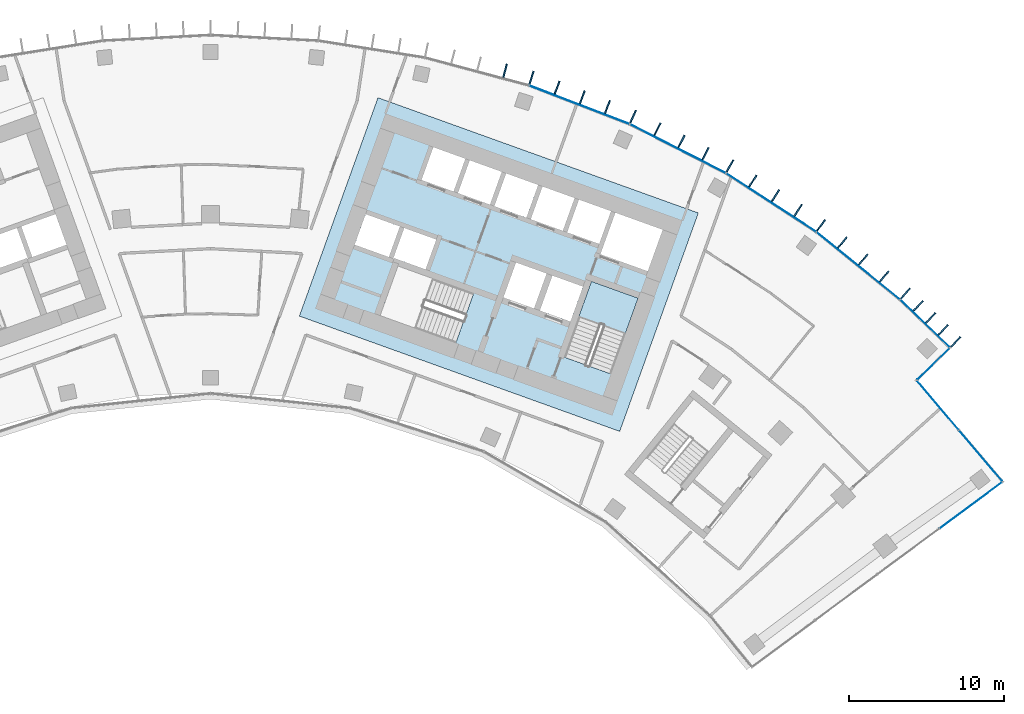
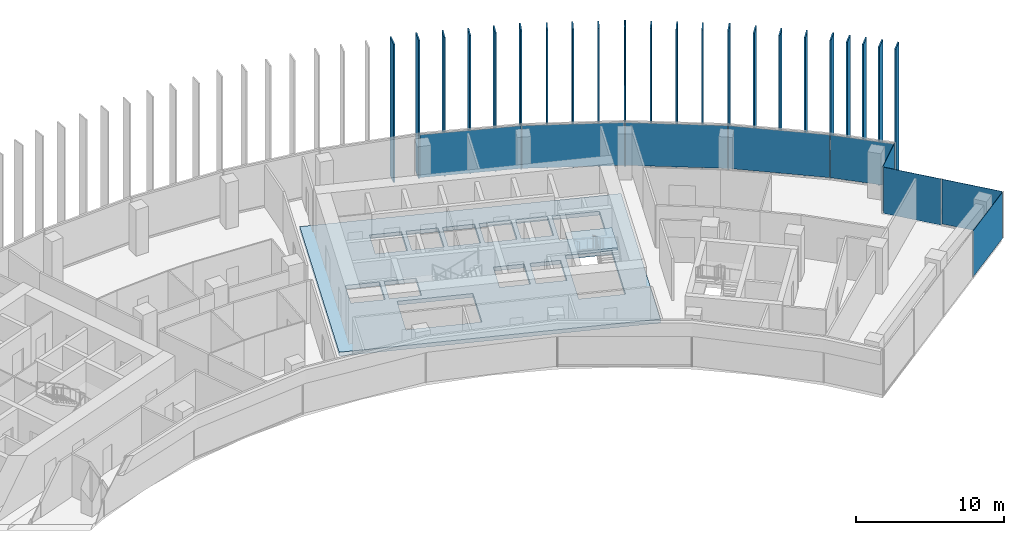
# One storey, part 12 of 20: 31 plates, 2 slabs, 5 elements without a shape of their own.
"""IFC4 building model written with IfcOpenShell, lengths in metres."""

from ifc_helpers import new_model, si_unit, direction, frame, origin, origin_2d, place, context, subcontext, project, spatial, polyline, rectangle, outline, extrude, material, layer, layer_set, type_object, element, aggregate, save


model = new_model("IFC4")

# Units and contexts
model_context = context("Model", 3, precision=1e-05, world=origin(), true_north=direction((0.0, 1.0)))
body_context = subcontext(model_context, "Body", "Model", "MODEL_VIEW")
ifc_project = project(units=[si_unit("LENGTHUNIT", "METRE"), si_unit("AREAUNIT", "SQUARE_METRE"), si_unit("VOLUMEUNIT", "CUBIC_METRE"), si_unit("PLANEANGLEUNIT", "RADIAN"), si_unit("MASSUNIT", "GRAM", prefix="KILO")], contexts=[model_context])

# Site, building, storey
site_placement = place(None, origin())
site = spatial("IfcSite", under=ifc_project, at=site_placement, CompositionType="ELEMENT")
building_placement = place(site_placement, origin())
building = spatial("IfcBuilding", under=site, at=building_placement, Name="Stone Belt Terrace Tower", CompositionType="ELEMENT")
storey_placement = place(building_placement, frame((0.0, 0.0, 212.39990234375)))
storey = spatial("IfcBuildingStorey", under=building, at=storey_placement, Name="L51", CompositionType="ELEMENT", Elevation=212.39990234375)

# Curtain wall, plates
ifc_material_1 = material(Name="Aluminium 6063-T6 anodised frame", Category="aluminium")
ifc_layer_1 = layer(ifc_material_1, 0.14990234375)
ifc_layer_set_1 = layer_set([ifc_layer_1], Name="CW-A unitised convex-face curtain wall")
curtain_wall_type_1 = type_object("IfcCurtainWallType", Name="CW-A unitised convex-face curtain wall", PredefinedType="NOTDEFINED", material=ifc_layer_set_1)
curtain_wall_1_placement = place(storey_placement, origin())
curtain_wall_1 = element("IfcCurtainWall", 1, at=curtain_wall_1_placement, inside=storey, type_object=curtain_wall_type_1, Name="CW-A convex face L51", PredefinedType="NOTDEFINED")
ifc_material_2 = material(Name="Clear double glazed unit")
ifc_layer_2 = layer(ifc_material_2, 0.031982421875)
ifc_layer_set_2 = layer_set([ifc_layer_2], Name="CW-A glass panel 32")
plate_type_1 = type_object("IfcPlateType", Name="CW-A glass panel 32", PredefinedType="CURTAIN_PANEL", material=ifc_layer_set_2)
plate_1_placement = place(storey_placement, frame((46.14599609375, 47.936767578125, 0.14013671875), z_axis=(0.0, 0.0, 1.0), x_axis=(-0.720604393579, 0.693346455933, 0.0)))
plate_1 = element("IfcPlate", 2, at=plate_1_placement, type_object=plate_type_1, Name="CW-A panel 1.1", PredefinedType="CURTAIN_PANEL", context=body_context, shape_type="SweptSolid", body=[
    extrude(rectangle(XDim=4.372314453125, YDim=0.031982421875, at=origin_2d()), origin(), (0.0, 0.0, 1.0), 3.52001953125),
])
plate_2_placement = place(storey_placement, frame((41.839599609375, 51.667724609375, 0.14013671875), z_axis=(0.0, 0.0, 1.0), x_axis=(-0.777145961457, 0.62932039105, 0.0)))
plate_2 = element("IfcPlate", 3, at=plate_2_placement, type_object=plate_type_1, Name="CW-A panel 2.1", PredefinedType="CURTAIN_PANEL", context=body_context, shape_type="SweptSolid", body=[
    extrude(rectangle(XDim=6.90087890625, YDim=0.031982421875, at=origin_2d()), origin(), (0.0, 0.0, 1.0), 3.52001953125),
])
plate_3_placement = place(storey_placement, frame((36.209716796875, 55.758056640625, 0.14013671875), z_axis=(0.0, 0.0, 1.0), x_axis=(-0.838670567945, 0.544639035015, 0.0)))
plate_3 = element("IfcPlate", 4, at=plate_3_placement, type_object=plate_type_1, Name="CW-A panel 3.1", PredefinedType="CURTAIN_PANEL", context=body_context, shape_type="SweptSolid", body=[
    extrude(rectangle(XDim=6.90087890625, YDim=0.031982421875, at=origin_2d()), origin(), (0.0, 0.0, 1.0), 3.52001953125),
])
plate_4_placement = place(storey_placement, frame((30.18310546875, 59.237548828125, 0.14013671875), z_axis=(0.0, 0.0, 1.0), x_axis=(-0.891006524188, 0.45399049974, 0.0)))
plate_4 = element("IfcPlate", 5, at=plate_4_placement, type_object=plate_type_1, Name="CW-A panel 4.1", PredefinedType="CURTAIN_PANEL", context=body_context, shape_type="SweptSolid", body=[
    extrude(rectangle(XDim=6.90087890625, YDim=0.031982421875, at=origin_2d()), origin(), (0.0, 0.0, 1.0), 3.52001953125),
])
plate_5_placement = place(storey_placement, frame((23.82568359375, 62.068115234375, 0.14013671875), z_axis=(0.0, 0.0, 1.0), x_axis=(-0.933580426497, 0.358367949545, 0.0)))
plate_5 = element("IfcPlate", 6, at=plate_5_placement, type_object=plate_type_1, Name="CW-A panel 5.1", PredefinedType="CURTAIN_PANEL", context=body_context, shape_type="SweptSolid", body=[
    extrude(rectangle(XDim=6.90087890625, YDim=0.031982421875, at=origin_2d()), origin(), (0.0, 0.0, 1.0), 3.52001953125),
])
aggregate(curtain_wall_1, [plate_1, plate_2, plate_3, plate_4, plate_5])

# Curtain wall, plate
ifc_layer_3 = layer(ifc_material_1, 0.14990234375)
ifc_layer_set_3 = layer_set([ifc_layer_3], Name="CW-C stick curtain wall, horn ends and notches")
curtain_wall_type_2 = type_object("IfcCurtainWallType", Name="CW-C stick curtain wall, horn ends and notches", PredefinedType="NOTDEFINED", material=ifc_layer_set_3)
curtain_wall_2_placement = place(storey_placement, origin())
curtain_wall_2 = element("IfcCurtainWall", 7, at=curtain_wall_2_placement, inside=storey, type_object=curtain_wall_type_2, Name="CW-C end face L51", PredefinedType="NOTDEFINED")
ifc_layer_4 = layer(ifc_material_2, 0.028076171875)
ifc_layer_set_4 = layer_set([ifc_layer_4], Name="CW-C glass panel 28")
plate_type_2 = type_object("IfcPlateType", Name="CW-C glass panel 28", PredefinedType="CURTAIN_PANEL", material=ifc_layer_set_4)
plate_6_placement = place(storey_placement, frame((49.122802734375, 36.1953125, 0.0), z_axis=(0.0, 0.0, 1.0), x_axis=(0.804329077539, 0.594184091865, 0.0)))
plate_6 = element("IfcPlate", 8, at=plate_6_placement, type_object=plate_type_2, Name="CW-C panel 4.1", PredefinedType="CURTAIN_PANEL", context=body_context, shape_type="SweptSolid", body=[
    extrude(rectangle(XDim=4.974853515625, YDim=0.028076171875, at=origin_2d()), origin(), (0.0, 0.0, 1.0), 3.800048828125),
])
aggregate(curtain_wall_2, [plate_6])

# Curtain wall, plates
curtain_wall_3_placement = place(storey_placement, origin())
curtain_wall_3 = element("IfcCurtainWall", 9, at=curtain_wall_3_placement, inside=storey, type_object=curtain_wall_type_2, Name="CW-C notch face L51", PredefinedType="NOTDEFINED")
plate_7_placement = place(storey_placement, frame((49.75390625, 39.402587890625, 0.1201171875), z_axis=(0.0, 0.0, 1.0), x_axis=(-0.647210945735, 0.762310954743, 0.0)))
plate_7 = element("IfcPlate", 10, at=plate_7_placement, type_object=plate_type_2, Name="CW-C panel 1.1", PredefinedType="CURTAIN_PANEL", context=body_context, shape_type="SweptSolid", body=[
    extrude(rectangle(XDim=4.268798828125, YDim=0.028076171875, at=origin_2d()), origin(), (0.0, 0.0, 1.0), 3.679931640625),
])
plate_8_placement = place(storey_placement, frame((47.000244140625, 42.645751953125, 0.0), z_axis=(0.0, 0.0, 1.0), x_axis=(-0.647210945735, 0.762310954743, 0.0)))
plate_8 = element("IfcPlate", 11, at=plate_8_placement, type_object=plate_type_2, Name="CW-C panel 2.1", PredefinedType="CURTAIN_PANEL", context=body_context, shape_type="SweptSolid", body=[
    extrude(rectangle(XDim=4.12060546875, YDim=0.028076171875, at=origin_2d()), origin(), (0.0, 0.0, 1.0), 3.800048828125),
])
aggregate(curtain_wall_3, [plate_7, plate_8])

# Curtain wall, plate
curtain_wall_4_placement = place(storey_placement, origin())
curtain_wall_4 = element("IfcCurtainWall", 12, at=curtain_wall_4_placement, inside=storey, type_object=curtain_wall_type_2, Name="CW-C notch face L51", PredefinedType="NOTDEFINED")
plate_9_placement = place(storey_placement, frame((46.69677734375, 45.320068359375, 0.1201171875), z_axis=(0.0, 0.0, 1.0), x_axis=(0.71680345276, 0.697275275707, 0.0)))
plate_9 = element("IfcPlate", 13, at=plate_9_placement, type_object=plate_type_2, Name="CW-C panel 1.1", PredefinedType="CURTAIN_PANEL", context=body_context, shape_type="SweptSolid", body=[
    extrude(rectangle(XDim=2.859619140625, YDim=0.028076171875, at=origin_2d()), origin(), (0.0, 0.0, 1.0), 3.679931640625),
])
aggregate(curtain_wall_4, [plate_9])

# Slab
ifc_material_3 = material(Name="Concrete B40", Category="concrete")
ifc_layer_5 = layer(ifc_material_3, 0.320068359375)
ifc_layer_set_5 = layer_set([ifc_layer_5], Name="Core floor slab 320")
slab_type_1 = type_object("IfcSlabType", Name="Core floor slab 320", PredefinedType="FLOOR", material=ifc_layer_set_5)
slab_1_placement = place(storey_placement, frame((0.0, 0.0, -0.31982421875)))
element("IfcSlab", 14, at=slab_1_placement, inside=storey, type_object=slab_type_1, Name="Core B floor L51", PredefinedType="FLOOR", context=body_context, shape_type="SweptSolid", body=[
    extrude(outline(polyline([(26.43505859375, 40.968994140625), (31.513916015625, 55.0830078125), (10.81396484375, 62.531982421875), (5.735107421875, 48.4189453125), (26.43505859375, 40.968994140625)]), holes=[polyline([(12.10595703125, 51.652099609375), (16.998046875, 49.89208984375), (15.846923828125, 46.69189453125), (10.955078125, 48.452880859375), (12.10595703125, 51.652099609375)]), polyline([(12.511962890625, 54.110107421875), (14.58203125, 53.364990234375), (13.887939453125, 51.43603515625), (11.864990234375, 52.1640625), (11.847900390625, 52.116943359375), (11.801025390625, 52.134033203125), (12.511962890625, 54.110107421875)]), polyline([(9.30810546875, 53.031005859375), (10.01904296875, 55.007080078125), (12.22998046875, 54.2109375), (11.51904296875, 52.235107421875), (9.30810546875, 53.031005859375)]), polyline([(18.333984375, 55.52197265625), (19.095947265625, 57.638916015625), (21.166015625, 56.89404296875), (20.404052734375, 54.777099609375), (18.333984375, 55.52197265625)]), polyline([(16.743896484375, 58.485107421875), (18.81396484375, 57.739990234375), (18.052001953125, 55.623046875), (15.98193359375, 56.367919921875), (16.743896484375, 58.485107421875)]), polyline([(14.39111328125, 59.33203125), (16.4609375, 58.5869140625), (15.699951171875, 56.469970703125), (13.6298828125, 57.215087890625), (14.39111328125, 59.33203125)]), polyline([(27.618896484375, 49.575927734375), (25.85888671875, 44.68408203125), (22.847900390625, 45.76806640625), (24.60791015625, 50.659912109375), (27.618896484375, 49.575927734375)]), polyline([(23.25, 48.06689453125), (21.27392578125, 48.778076171875), (22.0869140625, 51.035888671875), (24.06298828125, 50.324951171875), (23.25, 48.06689453125)]), polyline([(20.89794921875, 48.9130859375), (18.922119140625, 49.6240234375), (19.735107421875, 51.883056640625), (21.7109375, 51.1708984375), (20.89794921875, 48.9130859375)]), polyline([(26.153076171875, 55.09912109375), (29.2109375, 53.9990234375), (28.24609375, 51.31689453125), (25.18798828125, 52.41796875), (26.153076171875, 55.09912109375)]), polyline([(23.801025390625, 55.946044921875), (25.87109375, 55.200927734375), (25.10888671875, 53.083984375), (23.0390625, 53.8291015625), (23.801025390625, 55.946044921875)]), polyline([(21.447998046875, 56.7919921875), (23.51806640625, 56.047119140625), (22.756103515625, 53.929931640625), (20.68603515625, 54.675048828125), (21.447998046875, 56.7919921875)])]), origin(), (0.0, 0.0, 1.0), 0.31982421875),
])

# Stair, slab
stair_type = type_object("IfcStairType", Name="Exit stair 1500", PredefinedType="HALF_TURN_STAIR", material=ifc_material_3)
stair_placement = place(storey_placement, origin())
stair = element("IfcStair", 15, at=stair_placement, inside=storey, type_object=stair_type, Name="L51 Exit stair 1 core B", PredefinedType="HALF_TURN_STAIR")
ifc_layer_6 = layer(ifc_material_3, 0.199951171875)
ifc_layer_set_6 = layer_set([ifc_layer_6], Name="Stair landing 200")
slab_type_2 = type_object("IfcSlabType", Name="Stair landing 200", PredefinedType="LANDING", material=ifc_layer_set_6)
slab_2_placement = place(storey_placement, frame((0.0, 0.0, 1.7001953125)))
slab_2 = element("IfcSlab", 16, at=slab_2_placement, type_object=slab_type_2, Name="ST1B landing 1", PredefinedType="LANDING", context=body_context, shape_type="SweptSolid", body=[
    extrude(outline(polyline([(26.806396484375, 47.3173828125), (27.619384765625, 49.576171875), (24.6083984375, 50.659912109375), (23.79541015625, 48.40087890625), (26.806396484375, 47.3173828125)])), origin(), (0.0, 0.0, 1.0), 0.199951171875),
])
aggregate(stair, [slab_2])

# Plates
ifc_material_4 = material(Name="Terracotta coloured glazed ceramic", Category="masonry")
ifc_layer_7 = layer(ifc_material_4, 0.10009765625)
ifc_layer_set_7 = layer_set([ifc_layer_7], Name="Terracotta fin 100 x 900")
plate_type_3 = type_object("IfcPlateType", Name="Terracotta fin 100 x 900", PredefinedType="SHEET", material=ifc_layer_set_7)
for number, where, z_axis, x_axis, name in (
    (17, (48.139404296875, 46.747314453125, 0.000244140625), (0.0, 0.0, 1.0), (0.693346455933, 0.720604393579, 0.0), "FIN L51 1.1"),
    (18, (47.332275390625, 47.52392578125, 0.000244140625), (0.0, 0.0, 1.0), (0.693346455933, 0.720604393579, 0.0), "FIN L51 1.2"),
    (19, (46.525146484375, 48.300537109375, 0.000244140625), (0.0, 0.0, 1.0), (0.693346455933, 0.720604393579, 0.0), "FIN L51 1.3"),
    (20, (45.718017578125, 49.0771484375, 0.000244140625), (0.0, 0.0, 1.0), (0.693346455933, 0.720604393579, 0.0), "FIN L51 1.4"),
    (21, (44.894287109375, 49.868896484375, 0.000244140625), (0.0, 0.0, 1.0), (0.661937409618, 0.749559114245, 0.0), "FIN L51 2.1"),
    (22, (43.5234375, 50.979736328125, 0.000244140625), (0.0, 0.0, 1.0), (0.62932039105, 0.777145961457, 0.0), "FIN L51 2.2"),
    (23, (42.169677734375, 52.075927734375, 0.000244140625), (0.0, 0.0, 1.0), (0.62932039105, 0.777145961457, 0.0), "FIN L51 2.3"),
    (24, (40.81591796875, 53.172119140625, 0.000244140625), (0.0, 0.0, 1.0), (0.62932039105, 0.777145961457, 0.0), "FIN L51 2.4"),
    (25, (39.4404296875, 54.28515625, 0.000244140625), (0.0, 0.0, 1.0), (0.587785252292, 0.809016994375, 0.0), "FIN L51 3.1"),
    (26, (37.956787109375, 55.24951171875, 0.000244140625), (0.0, 0.0, 1.0), (0.544639035015, 0.838670567945, 0.0), "FIN L51 3.2"),
    (27, (36.49560546875, 56.1982421875, 0.000244140625), (0.0, 0.0, 1.0), (0.544639035015, 0.838670567945, 0.0), "FIN L51 3.3"),
    (28, (35.03466796875, 57.147216796875, 0.000244140625), (0.0, 0.0, 1.0), (0.544639035015, 0.838670567945, 0.0), "FIN L51 3.4"),
    (29, (33.550048828125, 58.1103515625, 0.000244140625), (0.0, 0.0, 1.0), (0.5, 0.866025403784, 0.0), "FIN L51 4.1"),
    (30, (31.9736328125, 58.914306640625, 0.000244140625), (0.0, 0.0, 1.0), (0.45399049974, 0.891006524188, 0.0), "FIN L51 4.2"),
    (31, (30.42138671875, 59.705322265625, 0.000244140625), (0.0, 0.0, 1.0), (0.45399049974, 0.891006524188, 0.0), "FIN L51 4.3"),
    (32, (28.869140625, 60.496337890625, 0.000244140625), (0.0, 0.0, 1.0), (0.45399049974, 0.891006524188, 0.0), "FIN L51 4.4"),
    (33, (27.2919921875, 61.299072265625, 0.000244140625), (0.0, 0.0, 1.0), (0.406736643076, 0.913545457643, 0.0), "FIN L51 5.1"),
    (34, (25.64013671875, 61.933837890625, 0.000244140625), (0.0, 0.0, 1.0), (0.358367949545, 0.933580426497, 0.0), "FIN L51 5.2"),
    (35, (24.013916015625, 62.55810546875, 0.000244140625), (0.0, 0.0, 1.0), (0.358367949545, 0.933580426497, 0.0), "FIN L51 5.3"),
    (36, (22.387451171875, 63.182373046875, 0.000244140625), (0.0, 0.0, 1.0), (0.358367949545, 0.933580426497, 0.0), "FIN L51 5.4"),
    (37, (20.735107421875, 63.81591796875, 0.000244140625), (0.0, 0.0, 1.0), (0.309016994375, 0.951056516295, 0.0), "FIN L51 6.1"),
    (38, (19.02587890625, 64.274658203125, 0.000244140625), (0.0, 0.0, 1.0), (0.258819045103, 0.965925826289, 0.0), "FIN L51 6.2"),
):
    element("IfcPlate", number, at=place(storey_placement, frame(where, z_axis=z_axis, x_axis=x_axis)), inside=storey, type_object=plate_type_3, Name=name, PredefinedType="SHEET", context=body_context, shape_type="SweptSolid", body=[
        extrude(rectangle(XDim=0.89990234375, YDim=0.10009765625, at=origin_2d()), origin(), (0.0, 0.0, 1.0), 11.39990234375),
    ])

save(model, "model.ifc")
